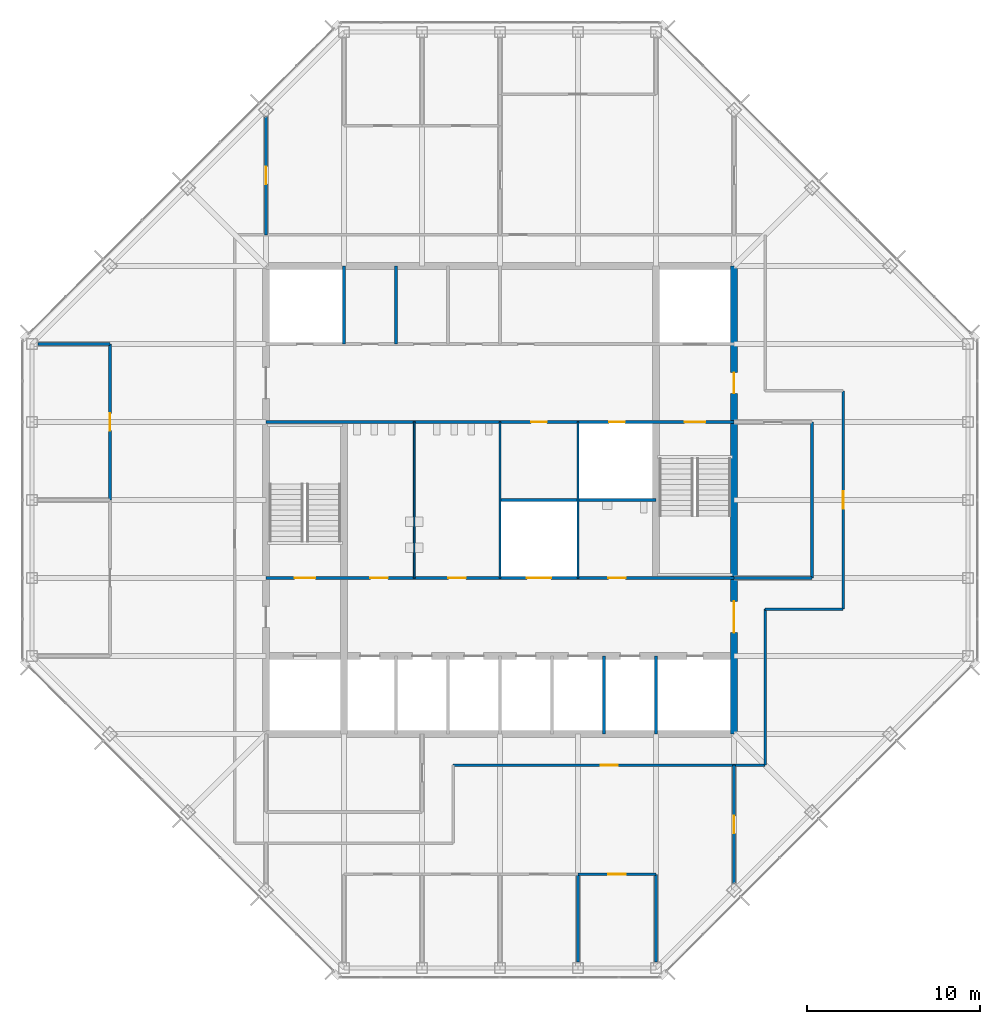
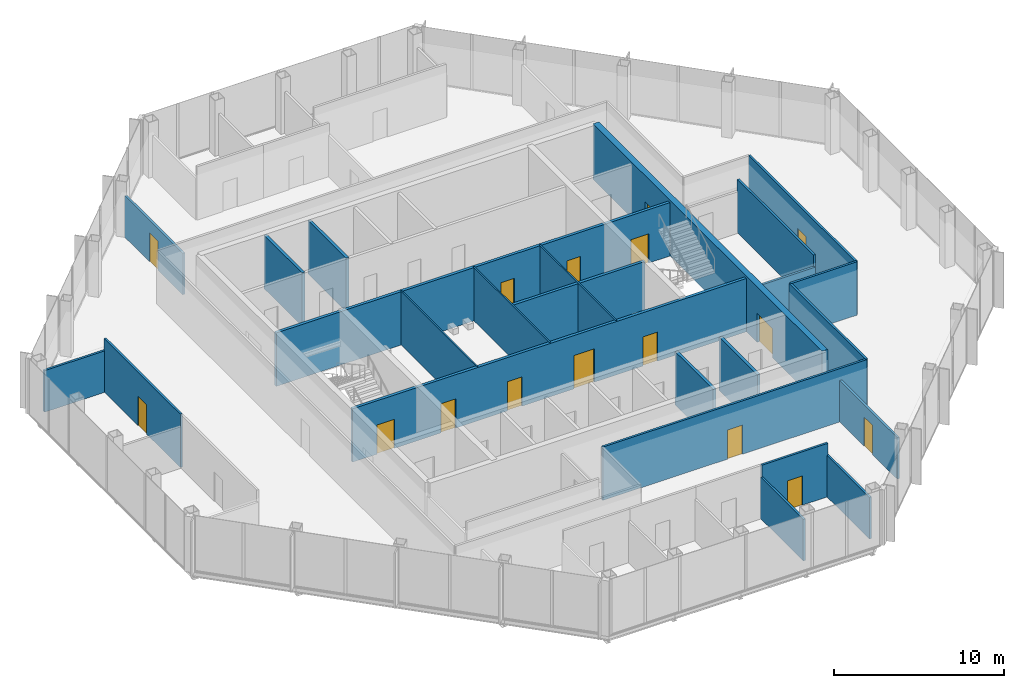
# One storey, part 10 of 13: 24 walls, 16 doors, 16 openings.
"""IFC4 building model written with IfcOpenShell, lengths in metres."""

import ifcopenshell
import ifcopenshell.guid

model = None  # the IFC model being written
_history = None  # IfcOwnerHistory: only IFC2X3 demands one
_inside = {}  # id of a spatial element -> (the spatial element, [elements in it])
_under = {}  # id of a project, library or spatial element -> (it, [spatial elements below it])
_declared = {}  # id of a project -> (the project, [libraries it declares])
_typed = {}  # id of a type object -> (the type object, [elements of that type])
_made_of = {}  # id of a material, layer set ... -> (it, [elements and type objects made of it])


def new_model(schema):
    """Start an empty IFC model of exactly this schema.

    Asked for "IFC4X3", IfcOpenShell would pick the latest addendum, in which some entities
    have other attributes; the version numbers below select the first issue.
    IFC2X3 requires an IfcOwnerHistory on every rooted entity: one is made here for all.
    """
    global model, _history
    if schema == "IFC4X3":
        model = ifcopenshell.file(schema_version=(4, 3, 0, 0))
    else:
        model = ifcopenshell.file(schema=schema)
    _inside.clear()
    _under.clear()
    _declared.clear()
    _typed.clear()
    _made_of.clear()
    _history = None
    if model.schema == "IFC2X3":
        org = make("IfcOrganization", Name="unknown")
        user = make(
            "IfcPersonAndOrganization",
            ThePerson=make("IfcPerson", FamilyName="unknown"),
            TheOrganization=org,
        )
        app = make(
            "IfcApplication",
            ApplicationDeveloper=org,
            Version="unknown",
            ApplicationFullName="unknown",
            ApplicationIdentifier="unknown",
        )
        _history = make(
            "IfcOwnerHistory",
            OwningUser=user,
            OwningApplication=app,
            ChangeAction="ADDED",
            CreationDate=0,
        )
    return model


def make(cls, **values):
    """One entity of the class cls with the attributes given. An attribute that is None is left unset."""
    return model.create_entity(
        cls, **{name: value for name, value in values.items() if value is not None}
    )


def rooted(cls, **values):
    """An entity with a GlobalId (a new one), such as an element, a storey or a relation."""
    return make(cls, GlobalId=ifcopenshell.guid.new(), OwnerHistory=_history, **values)


def si_unit(unit_type, name, prefix=None):
    """IfcSIUnit, for example si_unit("LENGTHUNIT", "METRE", prefix="MILLI")."""
    return make("IfcSIUnit", UnitType=unit_type, Prefix=prefix, Name=name)


def assignment(units):
    """IfcUnitAssignment: the units of a project."""
    return None if units is None else make("IfcUnitAssignment", Units=units)


def point(xyz):
    """IfcCartesianPoint."""
    return None if xyz is None else make("IfcCartesianPoint", Coordinates=xyz)


def direction(xyz):
    """IfcDirection."""
    return None if xyz is None else make("IfcDirection", DirectionRatios=xyz)


def frame(location, z_axis=None, x_axis=None):
    """IfcAxis2Placement3D, a coordinate frame: its origin and axes. An axis left out is left unset."""
    return make(
        "IfcAxis2Placement3D",
        Location=point(location),
        Axis=direction(z_axis),
        RefDirection=direction(x_axis),
    )


def frame_2d(location, x_axis=None):
    """IfcAxis2Placement2D, a coordinate frame in the plane: its origin and x axis."""
    return make(
        "IfcAxis2Placement2D", Location=point(location), RefDirection=direction(x_axis)
    )


def origin():
    """The frame at (0, 0, 0) with its axes left unset."""
    return frame((0.0, 0.0, 0.0))


def place(relative_to, where):
    """IfcLocalPlacement: puts the frame where relative to a parent placement (None: the world)."""
    return make(
        "IfcLocalPlacement", PlacementRelTo=relative_to, RelativePlacement=where
    )


def context(
    kind, dimensions, precision=None, world=None, true_north=None, identifier=None
):
    """IfcGeometricRepresentationContext, for example the 3D "Model" context."""
    return make(
        "IfcGeometricRepresentationContext",
        ContextIdentifier=identifier,
        ContextType=kind,
        CoordinateSpaceDimension=dimensions,
        Precision=precision,
        WorldCoordinateSystem=world,
        TrueNorth=true_north,
    )


def subcontext(parent, identifier, kind, view, scale=None):
    """IfcGeometricRepresentationSubContext, for example "Body" below "Model"."""
    return make(
        "IfcGeometricRepresentationSubContext",
        ContextIdentifier=identifier,
        ContextType=kind,
        ParentContext=parent,
        TargetScale=scale,
        TargetView=view,
    )


def project(units=None, contexts=None):
    """IfcProject with its units and contexts."""
    return rooted(
        "IfcProject",
        Name="project",
        RepresentationContexts=contexts,
        UnitsInContext=assignment(units),
    )


def spatial(cls, under=None, at=None, **own):
    """A site, building, storey or space (cls), placed at a placement, below another one or the project."""
    s = rooted(cls, ObjectPlacement=at, **own)
    if under is not None:
        _under.setdefault(under.id(), (under, []))[1].append(s)
    return s


def profile(cls, at=None, kind="AREA", **sizes):
    """A parametric profile (cls). Its sizes go by their IFC names, for example OverallWidth=200.0."""
    return make(cls, ProfileType=kind, Position=at, **sizes)


def rectangle(**sizes):
    """IfcRectangleProfileDef."""
    return profile("IfcRectangleProfileDef", **sizes)


def extrude(swept, where, along, depth):
    """IfcExtrudedAreaSolid: the profile swept, set in the frame where, extruded along a direction by depth."""
    return make(
        "IfcExtrudedAreaSolid",
        SweptArea=swept,
        Position=where,
        ExtrudedDirection=direction(along),
        Depth=depth,
    )


def shape(context_of_items, identifier, shape_type, items):
    """IfcShapeRepresentation: the items that make up one representation, for example the "Body"."""
    return make(
        "IfcShapeRepresentation",
        ContextOfItems=context_of_items,
        RepresentationIdentifier=identifier,
        RepresentationType=shape_type,
        Items=items,
    )


def material(Name=None, Category=None):
    """IfcMaterial."""
    return make("IfcMaterial", Name=Name, Category=Category)


def layer(
    of_material, thickness, ventilated=None, Name=None, Category=None, Priority=None
):
    """IfcMaterialLayer: one layer of a wall or slab, of a material (None: an air gap)."""
    return make(
        "IfcMaterialLayer",
        Material=of_material,
        LayerThickness=thickness,
        IsVentilated=ventilated,
        Name=Name,
        Category=Category,
        Priority=Priority,
    )


def layer_set(layers, Name=None):
    """IfcMaterialLayerSet."""
    return make("IfcMaterialLayerSet", MaterialLayers=layers, LayerSetName=Name)


def made_of(thing, what):
    """Note that an element or type object is made of a material, layer set ...; save() writes the relation."""
    if what is not None:
        _made_of.setdefault(what.id(), (what, []))[1].append(thing)
    return thing


def type_object(cls, material=None, **own):
    """A type object (cls), such as IfcWallType, which elements share."""
    return made_of(rooted(cls, **own), material)


def element(
    cls,
    number,
    at=None,
    inside=None,
    cuts=None,
    type_object=None,
    material=None,
    context=None,
    identifier="Body",
    shape_type=None,
    held_by="IfcProductDefinitionShape",
    body=None,
    shapes=None,
    **own,
):
    """One element of the class cls, such as IfcWall. Its Tag is "e" and its number.

    at: its placement. inside: the storey or other place that contains it. cuts: it is an
    opening in that element (IfcRelVoidsElement). A single representation is given by context,
    identifier, shape_type and body (its items); several are given by shapes. held_by: the class
    of the entity that holds the representations. save() writes the other relations.
    """
    e = rooted(cls, Tag="e%d" % number, ObjectPlacement=at, **own)
    if body is not None:
        shapes = [shape(context, identifier, shape_type, body)]
    if shapes is not None:
        e.Representation = make(held_by, Representations=shapes)
    if inside is not None:
        _inside.setdefault(inside.id(), (inside, []))[1].append(e)
    if cuts is not None:
        rooted(
            "IfcRelVoidsElement", RelatingBuildingElement=cuts, RelatedOpeningElement=e
        )
    if type_object is not None:
        _typed.setdefault(type_object.id(), (type_object, []))[1].append(e)
    return made_of(e, material)


def fill(opening, filler):
    """IfcRelFillsElement: the door or window that sits in an opening."""
    return rooted(
        "IfcRelFillsElement",
        RelatingOpeningElement=opening,
        RelatedBuildingElement=filler,
    )


def aggregate(whole, parts):
    """IfcRelAggregates: a whole, such as a stair, and the parts it consists of."""
    return rooted("IfcRelAggregates", RelatingObject=whole, RelatedObjects=parts)


def save(model, path):
    """Write the relations noted so far, then the file.

    IfcRelAggregates (storeys below a building ...), IfcRelContainedInSpatialStructure (elements
    in a storey), IfcRelDefinesByType, IfcRelAssociatesMaterial and IfcRelDeclares: one each for
    every whole, place, type object, material and project.
    """
    for whole, parts in _under.values():
        aggregate(whole, parts)
    for where, things in _inside.values():
        rooted(
            "IfcRelContainedInSpatialStructure",
            RelatedElements=things,
            RelatingStructure=where,
        )
    for kind, things in _typed.values():
        rooted("IfcRelDefinesByType", RelatedObjects=things, RelatingType=kind)
    for what, things in _made_of.values():
        rooted("IfcRelAssociatesMaterial", RelatedObjects=things, RelatingMaterial=what)
    for by, libraries in _declared.values():
        rooted("IfcRelDeclares", RelatingContext=by, RelatedDefinitions=libraries)
    model.write(path)


model = new_model("IFC4")

# Units and contexts
model_context = context("Model", 3, precision=1e-05, world=origin(), true_north=direction((0.0, 1.0)))
body_context = subcontext(model_context, "Body", "Model", "MODEL_VIEW")
ifc_project = project(units=[si_unit("LENGTHUNIT", "METRE"), si_unit("AREAUNIT", "SQUARE_METRE"), si_unit("VOLUMEUNIT", "CUBIC_METRE"), si_unit("PLANEANGLEUNIT", "RADIAN"), si_unit("MASSUNIT", "GRAM", prefix="KILO")], contexts=[model_context])

# Site, building, storey
site_placement = place(None, origin())
site = spatial("IfcSite", under=ifc_project, at=site_placement, CompositionType="ELEMENT")
building_placement = place(site_placement, origin())
building = spatial("IfcBuilding", under=site, at=building_placement, Name="Corais Broadcast Tower", CompositionType="ELEMENT")
storey_placement = place(building_placement, frame((0.0, 0.0, 226.60009765625)))
storey = spatial("IfcBuildingStorey", under=building, at=storey_placement, Name="L52", CompositionType="ELEMENT", Elevation=226.60009765625)

# Walls
ifc_material_1 = material(Name="Concrete blockwork class A, grouted, two-hour", Category="masonry")
ifc_layer_1 = layer(ifc_material_1, 0.199951171875)
ifc_layer_set_1 = layer_set([ifc_layer_1], Name="Concrete blockwork class A, grouted, two-hour")
wall_type_1 = type_object("IfcWallType", Name="Core lobby wall 200", PredefinedType="SOLIDWALL", material=ifc_layer_set_1)
for number, where, z_axis, x_axis, name in (
    (1, (18.0, 36.0, 0.0), (0.0, 0.0, 1.0), (0.0, 1.0, 0.0), "CL3 core shaft wall X18B L52"),
    (2, (36.0, 13.5, 0.0), (0.0, 0.0, 1.0), (0.0, 1.0, 0.0), "CL3 core shaft wall X36A L52"),
):
    element("IfcWall", number, at=place(storey_placement, frame(where, z_axis=z_axis, x_axis=x_axis)), inside=storey, type_object=wall_type_1, Name=name, PredefinedType="SOLIDWALL", context=body_context, shape_type="SweptSolid", body=[
        extrude(rectangle(XDim=4.5, YDim=0.199951171875, at=frame_2d((2.25, 0.0))), origin(), (0.0, 0.0, 1.0), 3.83984375),
    ])

# Wall, openings, doors
wall_1_placement = place(storey_placement, frame((13.5, 22.5, 0.0), z_axis=(0.0, 0.0, 1.0), x_axis=(1.0, 0.0, 0.0)))
wall_1 = element("IfcWall", 3, at=wall_1_placement, inside=storey, type_object=wall_type_1, Name="CL3 core lobby wall Y225 L52", PredefinedType="SOLIDWALL", context=body_context, shape_type="SweptSolid", body=[
    extrude(rectangle(XDim=27.0, YDim=0.199951171875, at=frame_2d((13.5, 0.0))), origin(), (0.0, 0.0, 1.0), 3.83984375),
])
opening_1_placement = place(wall_1_placement, frame((1.64990234375, 0.0, 0.0)))
opening_1 = element("IfcOpeningElement", 4, at=opening_1_placement, cuts=wall_1, Name="Opening FD1", PredefinedType="OPENING", context=body_context, shape_type="SweptSolid", body=[
    extrude(rectangle(XDim=1.199951171875, YDim=2.10009765625, at=frame_2d((0.60009765625, 1.050048828125))), frame((0.0, 0.10986328125, 0.0), z_axis=(0.0, -1.0, 0.0), x_axis=(1.0, 0.0, 0.0)), (0.0, 0.0, 1.0), 0.219970703125),
])
opening_2_placement = place(wall_1_placement, frame((6.02490234375, 0.0, 0.0)))
opening_2 = element("IfcOpeningElement", 5, at=opening_2_placement, cuts=wall_1, Name="Opening WD1", PredefinedType="OPENING", context=body_context, shape_type="SweptSolid", body=[
    extrude(rectangle(XDim=1.0, YDim=2.10009765625, at=frame_2d((0.5, 1.050048828125))), frame((0.0, 0.10986328125, 0.0), z_axis=(0.0, -1.0, 0.0), x_axis=(1.0, 0.0, 0.0)), (0.0, 0.0, 1.0), 0.219970703125),
])
opening_3_placement = place(wall_1_placement, frame((10.52490234375, 0.0, 0.0)))
opening_3 = element("IfcOpeningElement", 6, at=opening_3_placement, cuts=wall_1, Name="Opening WD1", PredefinedType="OPENING", context=body_context, shape_type="SweptSolid", body=[
    extrude(rectangle(XDim=1.0, YDim=2.10009765625, at=frame_2d((0.5, 1.050048828125))), frame((0.0, 0.10986328125, 0.0), z_axis=(0.0, -1.0, 0.0), x_axis=(1.0, 0.0, 0.0)), (0.0, 0.0, 1.0), 0.219970703125),
])
opening_4_placement = place(wall_1_placement, frame((19.75, 0.0, 0.0)))
opening_4 = element("IfcOpeningElement", 7, at=opening_4_placement, cuts=wall_1, Name="Opening WD1", PredefinedType="OPENING", context=body_context, shape_type="SweptSolid", body=[
    extrude(rectangle(XDim=1.0, YDim=2.10009765625, at=frame_2d((0.5, 1.050048828125))), frame((0.0, 0.10986328125, 0.0), z_axis=(0.0, -1.0, 0.0), x_axis=(1.0, 0.0, 0.0)), (0.0, 0.0, 1.0), 0.219970703125),
])
opening_5_placement = place(wall_1_placement, frame((15.050048828125, 0.0, 0.0)))
opening_5 = element("IfcOpeningElement", 8, at=opening_5_placement, cuts=wall_1, Name="Opening LD3", PredefinedType="OPENING", context=body_context, shape_type="SweptSolid", body=[
    extrude(rectangle(XDim=1.39990234375, YDim=2.39990234375, at=frame_2d((0.699951171875, 1.199951171875))), frame((0.0, 0.10986328125, 0.0), z_axis=(0.0, -1.0, 0.0), x_axis=(1.0, 0.0, 0.0)), (0.0, 0.0, 1.0), 0.219970703125),
])
ifc_material_2 = material(Name="Steel fire door", Category="steel")
door_type_1 = type_object("IfcDoorType", Name="Fire door 1200x2100", OperationType="SINGLE_SWING_LEFT", PredefinedType="DOOR", material=ifc_material_2)
door_1_placement = place(opening_1_placement, origin())
door_1 = element("IfcDoor", 9, at=door_1_placement, inside=storey, type_object=door_type_1, Name="FD1 stair A door L52", OperationType="SINGLE_SWING_LEFT", OverallHeight=2.10009765625, OverallWidth=1.199951171875, PredefinedType="DOOR", context=body_context, shape_type="SweptSolid", body=[
    extrude(rectangle(XDim=1.199951171875, YDim=2.10009765625, at=frame_2d((0.60009765625, 1.050048828125))), frame((0.0, 0.02490234375, 0.0), z_axis=(0.0, -1.0, 0.0), x_axis=(1.0, 0.0, 0.0)), (0.0, 0.0, 1.0), 0.050048828125),
])
fill(opening_1, door_1)
ifc_material_3 = material(Name="Stainless steel lift door", Category="steel")
door_type_2 = type_object("IfcDoorType", Name="Service lift landing door 1400x2400", OperationType="SLIDING_TO_LEFT", PredefinedType="DOOR", material=ifc_material_3)
door_2_placement = place(opening_5_placement, origin())
door_2 = element("IfcDoor", 10, at=door_2_placement, inside=storey, type_object=door_type_2, Name="LD3 SL1 landing door L52", OperationType="SLIDING_TO_LEFT", OverallHeight=2.39990234375, OverallWidth=1.39990234375, PredefinedType="DOOR", context=body_context, shape_type="SweptSolid", body=[
    extrude(rectangle(XDim=1.39990234375, YDim=2.39990234375, at=frame_2d((0.699951171875, 1.199951171875))), frame((0.0, 0.02490234375, 0.0), z_axis=(0.0, -1.0, 0.0), x_axis=(1.0, 0.0, 0.0)), (0.0, 0.0, 1.0), 0.050048828125),
])
fill(opening_5, door_2)
ifc_material_4 = material(Name="Timber door", Category="wood")
door_type_3 = type_object("IfcDoorType", Name="Toilet door 1000x2100", OperationType="SINGLE_SWING_LEFT", PredefinedType="DOOR", material=ifc_material_4)
door_3_placement = place(opening_2_placement, origin())
door_3 = element("IfcDoor", 11, at=door_3_placement, inside=storey, type_object=door_type_3, Name="WD1 WC male door L52", OperationType="SINGLE_SWING_LEFT", OverallHeight=2.10009765625, OverallWidth=1.0, PredefinedType="DOOR", context=body_context, shape_type="SweptSolid", body=[
    extrude(rectangle(XDim=1.0, YDim=2.10009765625, at=frame_2d((0.5, 1.050048828125))), frame((0.0, 0.02490234375, 0.0), z_axis=(0.0, -1.0, 0.0), x_axis=(1.0, 0.0, 0.0)), (0.0, 0.0, 1.0), 0.050048828125),
])
fill(opening_2, door_3)
door_4_placement = place(opening_3_placement, origin())
door_4 = element("IfcDoor", 12, at=door_4_placement, inside=storey, type_object=door_type_3, Name="WD1 WC female door L52", OperationType="SINGLE_SWING_LEFT", OverallHeight=2.10009765625, OverallWidth=1.0, PredefinedType="DOOR", context=body_context, shape_type="SweptSolid", body=[
    extrude(rectangle(XDim=1.0, YDim=2.10009765625, at=frame_2d((0.5, 1.050048828125))), frame((0.0, 0.02490234375, 0.0), z_axis=(0.0, -1.0, 0.0), x_axis=(1.0, 0.0, 0.0)), (0.0, 0.0, 1.0), 0.050048828125),
])
fill(opening_3, door_4)
door_5_placement = place(opening_4_placement, origin())
door_5 = element("IfcDoor", 13, at=door_5_placement, inside=storey, type_object=door_type_3, Name="WD1 accessible WC door L52", OperationType="SINGLE_SWING_RIGHT", OverallHeight=2.10009765625, OverallWidth=1.0, PredefinedType="DOOR", context=body_context, shape_type="SweptSolid", body=[
    extrude(rectangle(XDim=1.0, YDim=2.10009765625, at=frame_2d((0.5, 1.050048828125))), frame((0.0, 0.02490234375, 0.0), z_axis=(0.0, -1.0, 0.0), x_axis=(1.0, 0.0, 0.0)), (0.0, 0.0, 1.0), 0.050048828125),
])
fill(opening_4, door_5)

wall_2_placement = place(storey_placement, frame((13.5, 31.5, 0.0), z_axis=(0.0, 0.0, 1.0), x_axis=(1.0, 0.0, 0.0)))
wall_2 = element("IfcWall", 14, at=wall_2_placement, inside=storey, type_object=wall_type_1, Name="CL3 core lobby wall Y315 L52", PredefinedType="SOLIDWALL", context=body_context, shape_type="SweptSolid", body=[
    extrude(rectangle(XDim=27.0, YDim=0.199951171875, at=frame_2d((13.5, 0.0))), origin(), (0.0, 0.0, 1.0), 3.83984375),
])
opening_6_placement = place(wall_2_placement, frame((24.14990234375, 0.0, 0.0)))
opening_6 = element("IfcOpeningElement", 15, at=opening_6_placement, cuts=wall_2, Name="Opening FD1", PredefinedType="OPENING", context=body_context, shape_type="SweptSolid", body=[
    extrude(rectangle(XDim=1.199951171875, YDim=2.10009765625, at=frame_2d((0.60009765625, 1.050048828125))), frame((0.0, 0.10986328125, 0.0), z_axis=(0.0, -1.0, 0.0), x_axis=(1.0, 0.0, 0.0)), (0.0, 0.0, 1.0), 0.219970703125),
])
opening_7_placement = place(wall_2_placement, frame((15.300048828125, 0.0, 0.0)))
opening_7 = element("IfcOpeningElement", 16, at=opening_7_placement, cuts=wall_2, Name="Opening RD1", PredefinedType="OPENING", context=body_context, shape_type="SweptSolid", body=[
    extrude(rectangle(XDim=0.89990234375, YDim=2.10009765625, at=frame_2d((0.449951171875, 1.050048828125))), frame((0.0, 0.10986328125, 0.0), z_axis=(0.0, -1.0, 0.0), x_axis=(1.0, 0.0, 0.0)), (0.0, 0.0, 1.0), 0.219970703125),
])
opening_8_placement = place(wall_2_placement, frame((19.800048828125, 0.0, 0.0)))
opening_8 = element("IfcOpeningElement", 17, at=opening_8_placement, cuts=wall_2, Name="Opening RD1", PredefinedType="OPENING", context=body_context, shape_type="SweptSolid", body=[
    extrude(rectangle(XDim=0.89990234375, YDim=2.10009765625, at=frame_2d((0.449951171875, 1.050048828125))), frame((0.0, 0.10986328125, 0.0), z_axis=(0.0, -1.0, 0.0), x_axis=(1.0, 0.0, 0.0)), (0.0, 0.0, 1.0), 0.219970703125),
])
door_6_placement = place(opening_6_placement, origin())
door_6 = element("IfcDoor", 18, at=door_6_placement, inside=storey, type_object=door_type_1, Name="FD1 stair B door L52", OperationType="SINGLE_SWING_RIGHT", OverallHeight=2.10009765625, OverallWidth=1.199951171875, PredefinedType="DOOR", context=body_context, shape_type="SweptSolid", body=[
    extrude(rectangle(XDim=1.199951171875, YDim=2.10009765625, at=frame_2d((0.60009765625, 1.050048828125))), frame((0.0, 0.02490234375, 0.0), z_axis=(0.0, -1.0, 0.0), x_axis=(1.0, 0.0, 0.0)), (0.0, 0.0, 1.0), 0.050048828125),
])
fill(opening_6, door_6)
ifc_material_5 = material(Name="Steel fire door", Category="steel")
door_type_4 = type_object("IfcDoorType", Name="Riser door 900x2100", OperationType="SINGLE_SWING_LEFT", PredefinedType="DOOR", material=ifc_material_5)
door_7_placement = place(opening_7_placement, origin())
door_7 = element("IfcDoor", 19, at=door_7_placement, inside=storey, type_object=door_type_4, Name="RD1 print room door L52", OperationType="SINGLE_SWING_RIGHT", OverallHeight=2.10009765625, OverallWidth=0.89990234375, PredefinedType="DOOR", context=body_context, shape_type="SweptSolid", body=[
    extrude(rectangle(XDim=0.89990234375, YDim=2.10009765625, at=frame_2d((0.449951171875, 1.050048828125))), frame((0.0, 0.02490234375, 0.0), z_axis=(0.0, -1.0, 0.0), x_axis=(1.0, 0.0, 0.0)), (0.0, 0.0, 1.0), 0.050048828125),
])
fill(opening_7, door_7)
door_8_placement = place(opening_8_placement, origin())
door_8 = element("IfcDoor", 20, at=door_8_placement, inside=storey, type_object=door_type_4, Name="RD1 riser door L52", OperationType="SINGLE_SWING_RIGHT", OverallHeight=2.10009765625, OverallWidth=0.89990234375, PredefinedType="DOOR", context=body_context, shape_type="SweptSolid", body=[
    extrude(rectangle(XDim=0.89990234375, YDim=2.10009765625, at=frame_2d((0.449951171875, 1.050048828125))), frame((0.0, 0.02490234375, 0.0), z_axis=(0.0, -1.0, 0.0), x_axis=(1.0, 0.0, 0.0)), (0.0, 0.0, 1.0), 0.050048828125),
])
fill(opening_8, door_8)

ifc_material_6 = material(Name="Concrete C50/60", Category="concrete")
ifc_layer_2 = layer(ifc_material_6, 0.39990234375)
ifc_layer_set_2 = layer_set([ifc_layer_2], Name="Concrete C50/60")
wall_type_2 = type_object("IfcWallType", Name="Core wall 400", PredefinedType="SHEAR", material=ifc_layer_set_2)
wall_3_placement = place(storey_placement, frame((40.5, 13.5, 0.0), z_axis=(0.0, 0.0, 1.0), x_axis=(0.0, 1.0, 0.0)))
wall_3 = element("IfcWall", 21, at=wall_3_placement, inside=storey, type_object=wall_type_2, Name="CR400 core wall E L52", PredefinedType="SHEAR", context=body_context, shape_type="SweptSolid", body=[
    extrude(rectangle(XDim=27.0, YDim=0.39990234375, at=frame_2d((13.5, 0.0))), origin(), (0.0, 0.0, 1.0), 4.0),
])
opening_9_placement = place(wall_3_placement, frame((5.85009765625, 0.0, 0.0)))
opening_9 = element("IfcOpeningElement", 22, at=opening_9_placement, cuts=wall_3, Name="Opening FD2", PredefinedType="OPENING", context=body_context, shape_type="SweptSolid", body=[
    extrude(rectangle(XDim=1.800048828125, YDim=2.10009765625, at=frame_2d((0.89990234375, 1.050048828125))), frame((0.0, 0.2099609375, 0.0), z_axis=(0.0, -1.0, 0.0), x_axis=(1.0, 0.0, 0.0)), (0.0, 0.0, 1.0), 0.419921875),
])
opening_10_placement = place(wall_3_placement, frame((19.64990234375, 0.0, 0.0)))
opening_10 = element("IfcOpeningElement", 23, at=opening_10_placement, cuts=wall_3, Name="Opening FD1", PredefinedType="OPENING", context=body_context, shape_type="SweptSolid", body=[
    extrude(rectangle(XDim=1.199951171875, YDim=2.10009765625, at=frame_2d((0.60009765625, 1.050048828125))), frame((0.0, 0.2099609375, 0.0), z_axis=(0.0, -1.0, 0.0), x_axis=(1.0, 0.0, 0.0)), (0.0, 0.0, 1.0), 0.419921875),
])
door_9_placement = place(opening_10_placement, origin())
door_9 = element("IfcDoor", 24, at=door_9_placement, inside=storey, type_object=door_type_1, Name="FD1 fire lobby B door L52", OperationType="SINGLE_SWING_RIGHT", OverallHeight=2.10009765625, OverallWidth=1.199951171875, PredefinedType="DOOR", context=body_context, shape_type="SweptSolid", body=[
    extrude(rectangle(XDim=1.199951171875, YDim=2.10009765625, at=frame_2d((0.60009765625, 1.050048828125))), frame((0.0, 0.02490234375, 0.0), z_axis=(0.0, -1.0, 0.0), x_axis=(1.0, 0.0, 0.0)), (0.0, 0.0, 1.0), 0.050048828125),
])
fill(opening_10, door_9)
ifc_material_7 = material(Name="Steel fire door", Category="steel")
door_type_5 = type_object("IfcDoorType", Name="Fire door pair 1800x2100", OperationType="DOUBLE_DOOR_SINGLE_SWING", PredefinedType="DOOR", material=ifc_material_7)
door_10_placement = place(opening_9_placement, origin())
door_10 = element("IfcDoor", 25, at=door_10_placement, inside=storey, type_object=door_type_5, Name="FD2 lift lobby door L52", OperationType="SINGLE_SWING_LEFT", OverallHeight=2.10009765625, OverallWidth=1.800048828125, PredefinedType="DOOR", context=body_context, shape_type="SweptSolid", body=[
    extrude(rectangle(XDim=1.800048828125, YDim=2.10009765625, at=frame_2d((0.89990234375, 1.050048828125))), frame((0.0, 0.02490234375, 0.0), z_axis=(0.0, -1.0, 0.0), x_axis=(1.0, 0.0, 0.0)), (0.0, 0.0, 1.0), 0.050048828125),
])
fill(opening_9, door_10)

# Wall, opening, door
ifc_material_8 = material(Name="Gypsum board on steel studs", Category="steel")
ifc_layer_3 = layer(ifc_material_8, 0.14990234375)
ifc_layer_set_3 = layer_set([ifc_layer_3], Name="Gypsum board on steel studs")
wall_type_3 = type_object("IfcWallType", Name="Partition 150", PredefinedType="PARTITIONING", material=ifc_layer_set_3)
wall_4_placement = place(storey_placement, frame((24.300048828125, 11.699951171875, 0.0), z_axis=(0.0, 0.0, 1.0), x_axis=(1.0, 0.0, 0.0)))
wall_4 = element("IfcWall", 26, at=wall_4_placement, inside=storey, type_object=wall_type_3, Name="IW3 corridor wall L52", PredefinedType="PARTITIONING", context=body_context, shape_type="SweptSolid", body=[
    extrude(rectangle(XDim=18.0, YDim=0.14990234375, at=frame_2d((9.0, 0.0))), origin(), (0.0, 0.0, 1.0), 3.83984375),
])
opening_11_placement = place(wall_4_placement, frame((8.5, 0.0, 0.0)))
opening_11 = element("IfcOpeningElement", 27, at=opening_11_placement, cuts=wall_4, Name="Opening D1", PredefinedType="OPENING", context=body_context, shape_type="SweptSolid", body=[
    extrude(rectangle(XDim=1.0, YDim=2.10009765625, at=frame_2d((0.5, 1.050048828125))), frame((0.0, 0.0849609375, 0.0), z_axis=(0.0, -1.0, 0.0), x_axis=(1.0, 0.0, 0.0)), (0.0, 0.0, 1.0), 0.169921875),
])
ifc_material_9 = material(Name="Timber door", Category="wood")
door_type_6 = type_object("IfcDoorType", Name="Single door 1000x2100", OperationType="SINGLE_SWING_LEFT", PredefinedType="DOOR", material=ifc_material_9)
door_11_placement = place(opening_11_placement, origin())
door_11 = element("IfcDoor", 28, at=door_11_placement, inside=storey, type_object=door_type_6, Name="D1 workplace door L52", OperationType="SINGLE_SWING_LEFT", OverallHeight=2.10009765625, OverallWidth=1.0, PredefinedType="DOOR", context=body_context, shape_type="SweptSolid", body=[
    extrude(rectangle(XDim=1.0, YDim=2.10009765625, at=frame_2d((0.5, 1.050048828125))), frame((0.0, 0.02490234375, 0.0), z_axis=(0.0, -1.0, 0.0), x_axis=(1.0, 0.0, 0.0)), (0.0, 0.0, 1.0), 0.050048828125),
])
fill(opening_11, door_11)

wall_5_placement = place(storey_placement, frame((46.800048828125, 20.699951171875, 0.0), z_axis=(0.0, 0.0, 1.0), x_axis=(0.0, 1.0, 0.0)))
wall_5 = element("IfcWall", 29, at=wall_5_placement, inside=storey, type_object=wall_type_3, Name="IW3 corridor wall L52", PredefinedType="PARTITIONING", context=body_context, shape_type="SweptSolid", body=[
    extrude(rectangle(XDim=12.60009765625, YDim=0.14990234375, at=frame_2d((6.300048828125, 0.0))), origin(), (0.0, 0.0, 1.0), 3.83984375),
])
opening_12_placement = place(wall_5_placement, frame((5.800048828125, 0.0, 0.0)))
opening_12 = element("IfcOpeningElement", 30, at=opening_12_placement, cuts=wall_5, Name="Opening D1", PredefinedType="OPENING", context=body_context, shape_type="SweptSolid", body=[
    extrude(rectangle(XDim=1.0, YDim=2.10009765625, at=frame_2d((0.5, 1.050048828125))), frame((0.0, 0.0849609375, 0.0), z_axis=(0.0, -1.0, 0.0), x_axis=(1.0, 0.0, 0.0)), (0.0, 0.0, 1.0), 0.169921875),
])
door_12_placement = place(opening_12_placement, origin())
door_12 = element("IfcDoor", 31, at=door_12_placement, inside=storey, type_object=door_type_6, Name="D1 workplace door L52", OperationType="SINGLE_SWING_LEFT", OverallHeight=2.10009765625, OverallWidth=1.0, PredefinedType="DOOR", context=body_context, shape_type="SweptSolid", body=[
    extrude(rectangle(XDim=1.0, YDim=2.10009765625, at=frame_2d((0.5, 1.050048828125))), frame((0.0, 0.02490234375, 0.0), z_axis=(0.0, -1.0, 0.0), x_axis=(1.0, 0.0, 0.0)), (0.0, 0.0, 1.0), 0.050048828125),
])
fill(opening_12, door_12)

# Walls
wall_6_placement = place(storey_placement, frame((42.300048828125, 11.699951171875, 0.0), z_axis=(0.0, 0.0, 1.0), x_axis=(0.0, 1.0, 0.0)))
element("IfcWall", 32, at=wall_6_placement, inside=storey, type_object=wall_type_3, Name="IW3 corridor wall L52", PredefinedType="PARTITIONING", context=body_context, shape_type="SweptSolid", body=[
    extrude(rectangle(XDim=9.0, YDim=0.14990234375, at=frame_2d((4.5, 0.0))), origin(), (0.0, 0.0, 1.0), 3.83984375),
])
wall_7_placement = place(storey_placement, frame((42.300048828125, 20.699951171875, 0.0), z_axis=(0.0, 0.0, 1.0), x_axis=(1.0, 0.0, 0.0)))
element("IfcWall", 33, at=wall_7_placement, inside=storey, type_object=wall_type_3, Name="IW3 corridor wall L52", PredefinedType="PARTITIONING", context=body_context, shape_type="SweptSolid", body=[
    extrude(rectangle(XDim=4.5, YDim=0.14990234375, at=frame_2d((2.25, 0.0))), origin(), (0.0, 0.0, 1.0), 3.83984375),
])

# Wall, opening, door
wall_8_placement = place(storey_placement, frame((4.5, 27.0, 0.0), z_axis=(0.0, 0.0, 1.0), x_axis=(0.0, 1.0, 0.0)))
wall_8 = element("IfcWall", 34, at=wall_8_placement, inside=storey, type_object=wall_type_3, Name="IW3 partition L52", PredefinedType="PARTITIONING", context=body_context, shape_type="SweptSolid", body=[
    extrude(rectangle(XDim=9.0, YDim=0.14990234375, at=frame_2d((4.5, 0.0))), origin(), (0.0, 0.0, 1.0), 3.83984375),
])
opening_13_placement = place(wall_8_placement, frame((4.0, 0.0, 0.0)))
opening_13 = element("IfcOpeningElement", 35, at=opening_13_placement, cuts=wall_8, Name="Opening D1", PredefinedType="OPENING", context=body_context, shape_type="SweptSolid", body=[
    extrude(rectangle(XDim=1.0, YDim=2.10009765625, at=frame_2d((0.5, 1.050048828125))), frame((0.0, 0.0849609375, 0.0), z_axis=(0.0, -1.0, 0.0), x_axis=(1.0, 0.0, 0.0)), (0.0, 0.0, 1.0), 0.169921875),
])
door_13_placement = place(opening_13_placement, origin())
door_13 = element("IfcDoor", 36, at=door_13_placement, inside=storey, type_object=door_type_6, Name="D1 Office door", OperationType="SINGLE_SWING_LEFT", OverallHeight=2.10009765625, OverallWidth=1.0, PredefinedType="DOOR", context=body_context, shape_type="SweptSolid", body=[
    extrude(rectangle(XDim=1.0, YDim=2.10009765625, at=frame_2d((0.5, 1.050048828125))), frame((0.0, 0.02490234375, 0.0), z_axis=(0.0, -1.0, 0.0), x_axis=(1.0, 0.0, 0.0)), (0.0, 0.0, 1.0), 0.050048828125),
])
fill(opening_13, door_13)

# Walls
wall_9_placement = place(storey_placement, frame((4.5, 36.0, 0.0), z_axis=(0.0, 0.0, 1.0), x_axis=(-1.0, 0.0, 0.0)))
element("IfcWall", 37, at=wall_9_placement, inside=storey, type_object=wall_type_3, Name="IW3 partition L52", PredefinedType="PARTITIONING", context=body_context, shape_type="SweptSolid", body=[
    extrude(rectangle(XDim=4.1650390625, YDim=0.14990234375, at=frame_2d((2.08251953125, 0.0))), origin(), (0.0, 0.0, 1.0), 2.989013671875),
])
for number, where, z_axis, x_axis, name in (
    (38, (31.5, 0.3349609375, 0.0), (0.0, 0.0, 1.0), (0.0, 1.0, 0.0), "IW3 partition L52"),
    (39, (36.0, 0.3349609375, 0.0), (0.0, 0.0, 1.0), (0.0, 1.0, 0.0), "IW3 partition L52"),
):
    element("IfcWall", number, at=place(storey_placement, frame(where, z_axis=z_axis, x_axis=x_axis)), inside=storey, type_object=wall_type_3, Name=name, PredefinedType="PARTITIONING", context=body_context, shape_type="SweptSolid", body=[
        extrude(rectangle(XDim=5.06494140625, YDim=0.14990234375, at=frame_2d((2.532470703125, 0.0))), origin(), (0.0, 0.0, 1.0), 2.989013671875),
    ])

# Wall, opening, door
wall_10_placement = place(storey_placement, frame((36.0, 5.39990234375, 0.0), z_axis=(0.0, 0.0, 1.0), x_axis=(-1.0, 0.0, 0.0)))
wall_10 = element("IfcWall", 40, at=wall_10_placement, inside=storey, type_object=wall_type_3, Name="IW3 partition L52", PredefinedType="PARTITIONING", context=body_context, shape_type="SweptSolid", body=[
    extrude(rectangle(XDim=4.5, YDim=0.14990234375, at=frame_2d((2.25, 0.0))), origin(), (0.0, 0.0, 1.0), 3.83984375),
])
opening_14_placement = place(wall_10_placement, frame((1.75, 0.0, 0.0)))
opening_14 = element("IfcOpeningElement", 41, at=opening_14_placement, cuts=wall_10, Name="Opening D1", PredefinedType="OPENING", context=body_context, shape_type="SweptSolid", body=[
    extrude(rectangle(XDim=1.0, YDim=2.10009765625, at=frame_2d((0.5, 1.050048828125))), frame((0.0, 0.0849609375, 0.0), z_axis=(0.0, -1.0, 0.0), x_axis=(1.0, 0.0, 0.0)), (0.0, 0.0, 1.0), 0.169921875),
])
door_14_placement = place(opening_14_placement, origin())
door_14 = element("IfcDoor", 42, at=door_14_placement, inside=storey, type_object=door_type_6, Name="D1 Edit room door", OperationType="SINGLE_SWING_LEFT", OverallHeight=2.10009765625, OverallWidth=1.0, PredefinedType="DOOR", context=body_context, shape_type="SweptSolid", body=[
    extrude(rectangle(XDim=1.0, YDim=2.10009765625, at=frame_2d((0.5, 1.050048828125))), frame((0.0, 0.02490234375, 0.0), z_axis=(0.0, -1.0, 0.0), x_axis=(1.0, 0.0, 0.0)), (0.0, 0.0, 1.0), 0.050048828125),
])
fill(opening_14, door_14)

# Walls
wall_11_placement = place(storey_placement, frame((40.5, 22.5, 0.0), z_axis=(0.0, 0.0, 1.0), x_axis=(1.0, 0.0, 0.0)))
element("IfcWall", 43, at=wall_11_placement, inside=storey, type_object=wall_type_3, Name="IW3 partition L52", PredefinedType="PARTITIONING", context=body_context, shape_type="SweptSolid", body=[
    extrude(rectangle(XDim=4.5, YDim=0.14990234375, at=frame_2d((2.25, 0.0))), origin(), (0.0, 0.0, 1.0), 2.989013671875),
])
wall_12_placement = place(storey_placement, frame((45.0, 22.5, 0.0), z_axis=(0.0, 0.0, 1.0), x_axis=(0.0, 1.0, 0.0)))
element("IfcWall", 44, at=wall_12_placement, inside=storey, type_object=wall_type_3, Name="IW3 partition L52", PredefinedType="PARTITIONING", context=body_context, shape_type="SweptSolid", body=[
    extrude(rectangle(XDim=9.0, YDim=0.14990234375, at=frame_2d((4.5, 0.0))), origin(), (0.0, 0.0, 1.0), 3.83984375),
])

# Wall, opening, door
wall_13_placement = place(storey_placement, frame((40.5, 4.844970703125, 0.0), z_axis=(0.0, 0.0, 1.0), x_axis=(0.0, 1.0, 0.0)))
wall_13 = element("IfcWall", 45, at=wall_13_placement, inside=storey, type_object=wall_type_3, Name="IW3 partition L52", PredefinedType="PARTITIONING", context=body_context, shape_type="SweptSolid", body=[
    extrude(rectangle(XDim=6.85498046875, YDim=0.14990234375, at=frame_2d((3.427490234375, 0.0))), origin(), (0.0, 0.0, 1.0), 2.989013671875),
])
opening_15_placement = place(wall_13_placement, frame((2.927490234375, 0.0, 0.0)))
opening_15 = element("IfcOpeningElement", 46, at=opening_15_placement, cuts=wall_13, Name="Opening D1", PredefinedType="OPENING", context=body_context, shape_type="SweptSolid", body=[
    extrude(rectangle(XDim=1.0, YDim=2.10009765625, at=frame_2d((0.5, 1.050048828125))), frame((0.0, 0.0849609375, 0.0), z_axis=(0.0, -1.0, 0.0), x_axis=(1.0, 0.0, 0.0)), (0.0, 0.0, 1.0), 0.169921875),
])
door_15_placement = place(opening_15_placement, origin())
door_15 = element("IfcDoor", 47, at=door_15_placement, inside=storey, type_object=door_type_6, Name="D1 team room door L52", OperationType="SINGLE_SWING_LEFT", OverallHeight=2.10009765625, OverallWidth=1.0, PredefinedType="DOOR", context=body_context, shape_type="SweptSolid", body=[
    extrude(rectangle(XDim=1.0, YDim=2.10009765625, at=frame_2d((0.5, 1.050048828125))), frame((0.0, 0.02490234375, 0.0), z_axis=(0.0, -1.0, 0.0), x_axis=(1.0, 0.0, 0.0)), (0.0, 0.0, 1.0), 0.050048828125),
])
fill(opening_15, door_15)

wall_14_placement = place(storey_placement, frame((13.5, 49.155029296875, 0.0), z_axis=(0.0, 0.0, 1.0), x_axis=(0.0, -1.0, 0.0)))
wall_14 = element("IfcWall", 48, at=wall_14_placement, inside=storey, type_object=wall_type_3, Name="IW3 partition L52", PredefinedType="PARTITIONING", context=body_context, shape_type="SweptSolid", body=[
    extrude(rectangle(XDim=6.85498046875, YDim=0.14990234375, at=frame_2d((3.427490234375, 0.0))), origin(), (0.0, 0.0, 1.0), 2.989013671875),
])
opening_16_placement = place(wall_14_placement, frame((2.927490234375, 0.0, 0.0)))
opening_16 = element("IfcOpeningElement", 49, at=opening_16_placement, cuts=wall_14, Name="Opening D1", PredefinedType="OPENING", context=body_context, shape_type="SweptSolid", body=[
    extrude(rectangle(XDim=1.0, YDim=2.10009765625, at=frame_2d((0.5, 1.050048828125))), frame((0.0, 0.0849609375, 0.0), z_axis=(0.0, -1.0, 0.0), x_axis=(1.0, 0.0, 0.0)), (0.0, 0.0, 1.0), 0.169921875),
])
door_16_placement = place(opening_16_placement, origin())
door_16 = element("IfcDoor", 50, at=door_16_placement, inside=storey, type_object=door_type_6, Name="D1 team room door L52", OperationType="SINGLE_SWING_LEFT", OverallHeight=2.10009765625, OverallWidth=1.0, PredefinedType="DOOR", context=body_context, shape_type="SweptSolid", body=[
    extrude(rectangle(XDim=1.0, YDim=2.10009765625, at=frame_2d((0.5, 1.050048828125))), frame((0.0, 0.02490234375, 0.0), z_axis=(0.0, -1.0, 0.0), x_axis=(1.0, 0.0, 0.0)), (0.0, 0.0, 1.0), 0.050048828125),
])
fill(opening_16, door_16)

# Walls
ifc_material_10 = material(Name="Concrete blockwork class A, grouted, two-hour", Category="masonry")
ifc_layer_4 = layer(ifc_material_10, 0.199951171875)
ifc_layer_set_4 = layer_set([ifc_layer_4], Name="Concrete blockwork class A, grouted, two-hour")
wall_type_4 = type_object("IfcWallType", Name="Shaft wall 200", PredefinedType="PARTITIONING", material=ifc_layer_set_4)
for number, where, z_axis, x_axis, name in (
    (51, (21.0, 36.0, 0.0), (0.0, 0.0, 1.0), (0.0, 1.0, 0.0), "IW1 shaft wall L52"),
    (52, (33.0, 13.5, 0.0), (0.0, 0.0, 1.0), (0.0, 1.0, 0.0), "IW1 shaft wall L52"),
):
    element("IfcWall", number, at=place(storey_placement, frame(where, z_axis=z_axis, x_axis=x_axis)), inside=storey, type_object=wall_type_4, Name=name, PredefinedType="PARTITIONING", context=body_context, shape_type="SweptSolid", body=[
        extrude(rectangle(XDim=4.5, YDim=0.199951171875, at=frame_2d((2.25, 0.0))), origin(), (0.0, 0.0, 1.0), 3.83984375),
    ])
wall_15_placement = place(storey_placement, frame((27.0, 27.0, 0.0), z_axis=(0.0, 0.0, 1.0), x_axis=(1.0, 0.0, 0.0)))
element("IfcWall", 53, at=wall_15_placement, inside=storey, type_object=wall_type_4, Name="IW1 shaft wall L52", PredefinedType="PARTITIONING", context=body_context, shape_type="SweptSolid", body=[
    extrude(rectangle(XDim=9.0, YDim=0.199951171875, at=frame_2d((4.5, 0.0))), origin(), (0.0, 0.0, 1.0), 3.83984375),
])
ifc_material_11 = material(Name="Dense concrete blockwork class A, tiled both faces", Category="masonry")
ifc_layer_5 = layer(ifc_material_11, 0.10009765625)
ifc_layer_set_5 = layer_set([ifc_layer_5], Name="Dense concrete blockwork class A, tiled both faces")
wall_type_5 = type_object("IfcWallType", Name="Toilet wall 100", PredefinedType="PLUMBINGWALL", material=ifc_layer_set_5)
for number, where, z_axis, x_axis, name in (
    (54, (22.050048828125, 22.5, 0.0), (0.0, 0.0, 1.0), (0.0, 1.0, 0.0), "IW2 toilet wall L52"),
    (55, (27.0, 22.5, 0.0), (0.0, 0.0, 1.0), (0.0, 1.0, 0.0), "IW2 toilet wall L52"),
    (56, (31.5, 22.5, 0.0), (0.0, 0.0, 1.0), (0.0, 1.0, 0.0), "IW2 toilet wall L52"),
):
    element("IfcWall", number, at=place(storey_placement, frame(where, z_axis=z_axis, x_axis=x_axis)), inside=storey, type_object=wall_type_5, Name=name, PredefinedType="PLUMBINGWALL", context=body_context, shape_type="SweptSolid", body=[
        extrude(rectangle(XDim=9.0, YDim=0.10009765625, at=frame_2d((4.5, 0.0))), origin(), (0.0, 0.0, 1.0), 3.83984375),
    ])

save(model, "model.ifc")
